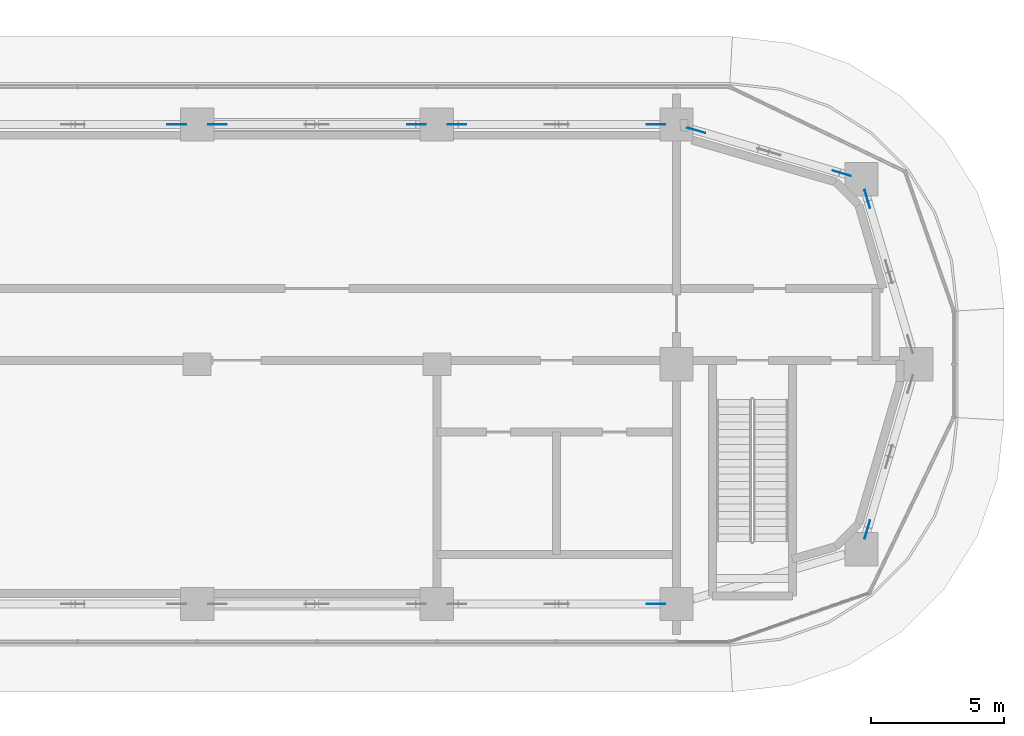
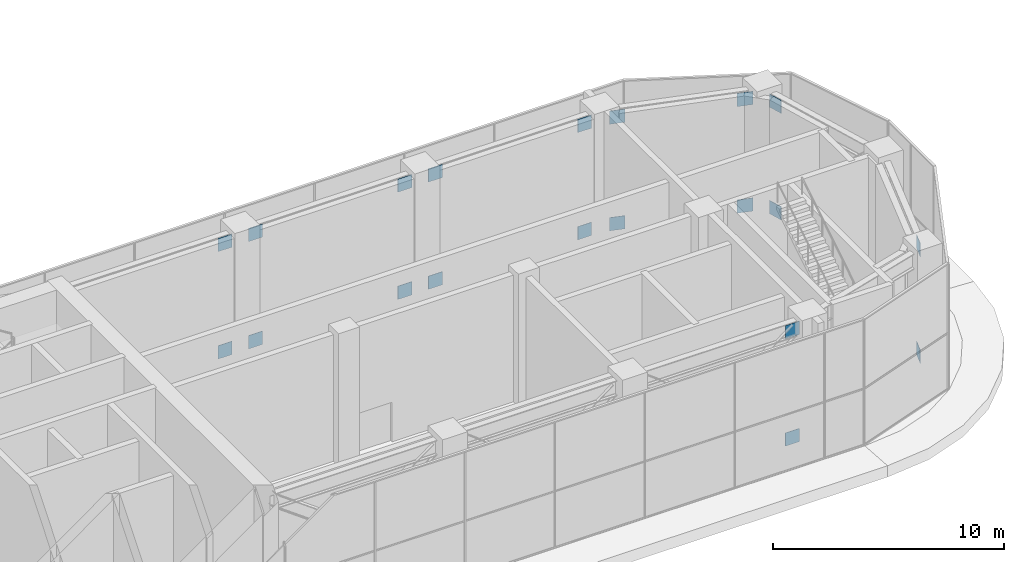
# One storey, part 24 of 35: 20 discrete accessories.
"""IFC4 building model written with IfcOpenShell, lengths in metres."""

from ifc_helpers import new_model, si_unit, direction, frame, origin, origin_2d, place, context, subcontext, project, spatial, rectangle, extrude, material, layer, layer_set, type_object, element, save


model = new_model("IFC4")

# Units and contexts
model_context = context("Model", 3, precision=1e-05, world=origin(), true_north=direction((0.0, 1.0)))
body_context = subcontext(model_context, "Body", "Model", "MODEL_VIEW")
ifc_project = project(units=[si_unit("LENGTHUNIT", "METRE"), si_unit("AREAUNIT", "SQUARE_METRE"), si_unit("VOLUMEUNIT", "CUBIC_METRE"), si_unit("PLANEANGLEUNIT", "RADIAN"), si_unit("MASSUNIT", "GRAM", prefix="KILO")], contexts=[model_context])

# Site, building, storey
site_placement = place(None, origin())
site = spatial("IfcSite", under=ifc_project, at=site_placement, CompositionType="ELEMENT")
building_placement = place(site_placement, origin())
building = spatial("IfcBuilding", under=site, at=building_placement, Name="Ogive Portal Towers", CompositionType="ELEMENT")
storey_placement = place(building_placement, frame((0.0, 0.0, 135.199951171875)))
storey = spatial("IfcBuildingStorey", under=building, at=storey_placement, Name="L33", CompositionType="ELEMENT", Elevation=135.199951171875)

# Discrete accessories
ifc_material = material(Name="Steel S355", Category="steel")
ifc_layer = layer(ifc_material, 0.02001953125)
ifc_layer_set = layer_set([ifc_layer], Name="GUSSET PLATE 700x700x20")
discrete_accessory_type = type_object("IfcDiscreteAccessoryType", Name="GUSSET PLATE 700x700x20", PredefinedType="BRACKET", material=ifc_layer_set)
for number, where, z_axis, x_axis, name in (
    (1, (84.735595703125, 21.5, 5.83740234375), (0.0, 0.0, 1.0), (1.0, 0.0, 0.0), "Gusset plate"),
    (2, (84.735595703125, 21.5, 0.1630859375), (0.0, 0.0, 1.0), (1.0, 0.0, 0.0), "Gusset plate"),
    (3, (92.669677734375, 24.294189453125, 0.18017578125), (0.0, 0.0, 1.0), (0.282893935167, 0.959151198428, 0.0), "Gusset plate"),
    (4, (92.669677734375, 24.294189453125, 5.81982421875), (0.0, 0.0, 1.0), (0.282893935167, 0.959151198428, 0.0), "Gusset plate"),
    (5, (92.669677734375, 36.705810546875, 0.18017578125), (0.0, 0.0, 1.0), (-0.282893935167, 0.959151198428, 0.0), "Gusset plate"),
    (6, (92.669677734375, 36.705810546875, 5.81982421875), (0.0, 0.0, 1.0), (-0.282893935167, 0.959151198428, 0.0), "Gusset plate"),
    (7, (91.705810546875, 37.669677734375, 0.18017578125), (0.0, 0.0, 1.0), (-0.959151198428, 0.282893935167, 0.0), "Gusset plate"),
    (8, (86.244384765625, 39.280517578125, 5.81982421875), (0.0, 0.0, 1.0), (-0.959151198428, 0.282893935167, 0.0), "Gusset plate"),
    (9, (91.705810546875, 37.669677734375, 5.81982421875), (0.0, 0.0, 1.0), (-0.959151198428, 0.282893935167, 0.0), "Gusset plate"),
    (10, (86.244384765625, 39.280517578125, 0.18017578125), (0.0, 0.0, 1.0), (-0.959151198428, 0.282893935167, 0.0), "Gusset plate"),
    (11, (84.735595703125, 39.5, 5.83740234375), (0.0, 0.0, 1.0), (-1.0, 0.0, 0.0), "Gusset plate"),
    (12, (77.264404296875, 39.5, 0.1630859375), (0.0, 0.0, 1.0), (-1.0, 0.0, 0.0), "Gusset plate"),
    (13, (84.735595703125, 39.5, 0.1630859375), (0.0, 0.0, 1.0), (-1.0, 0.0, 0.0), "Gusset plate"),
    (14, (77.264404296875, 39.5, 5.83740234375), (0.0, 0.0, 1.0), (-1.0, 0.0, 0.0), "Gusset plate"),
    (15, (75.735595703125, 39.5, 0.1630859375), (0.0, 0.0, 1.0), (-1.0, 0.0, 0.0), "Gusset plate"),
    (16, (68.264404296875, 39.5, 5.83740234375), (0.0, 0.0, 1.0), (-1.0, 0.0, 0.0), "Gusset plate"),
    (17, (75.735595703125, 39.5, 5.83740234375), (0.0, 0.0, 1.0), (-1.0, 0.0, 0.0), "Gusset plate"),
    (18, (68.264404296875, 39.5, 0.1630859375), (0.0, 0.0, 1.0), (-1.0, 0.0, 0.0), "Gusset plate"),
    (19, (66.733642578125, 39.5, 5.83984375), (0.0, 0.0, 1.0), (-1.0, 0.0, 0.0), "Gusset plate"),
    (20, (66.733642578125, 39.5, 0.16015625), (0.0, 0.0, 1.0), (-1.0, 0.0, 0.0), "Gusset plate"),
):
    element("IfcDiscreteAccessory", number, at=place(storey_placement, frame(where, z_axis=z_axis, x_axis=x_axis)), inside=storey, type_object=discrete_accessory_type, Name=name, PredefinedType="BRACKET", context=body_context, shape_type="SweptSolid", body=[
        extrude(rectangle(XDim=0.699951171875, YDim=0.02001953125, at=origin_2d()), origin(), (0.0, 0.0, 1.0), 0.699951171875),
    ])

save(model, "model.ifc")
